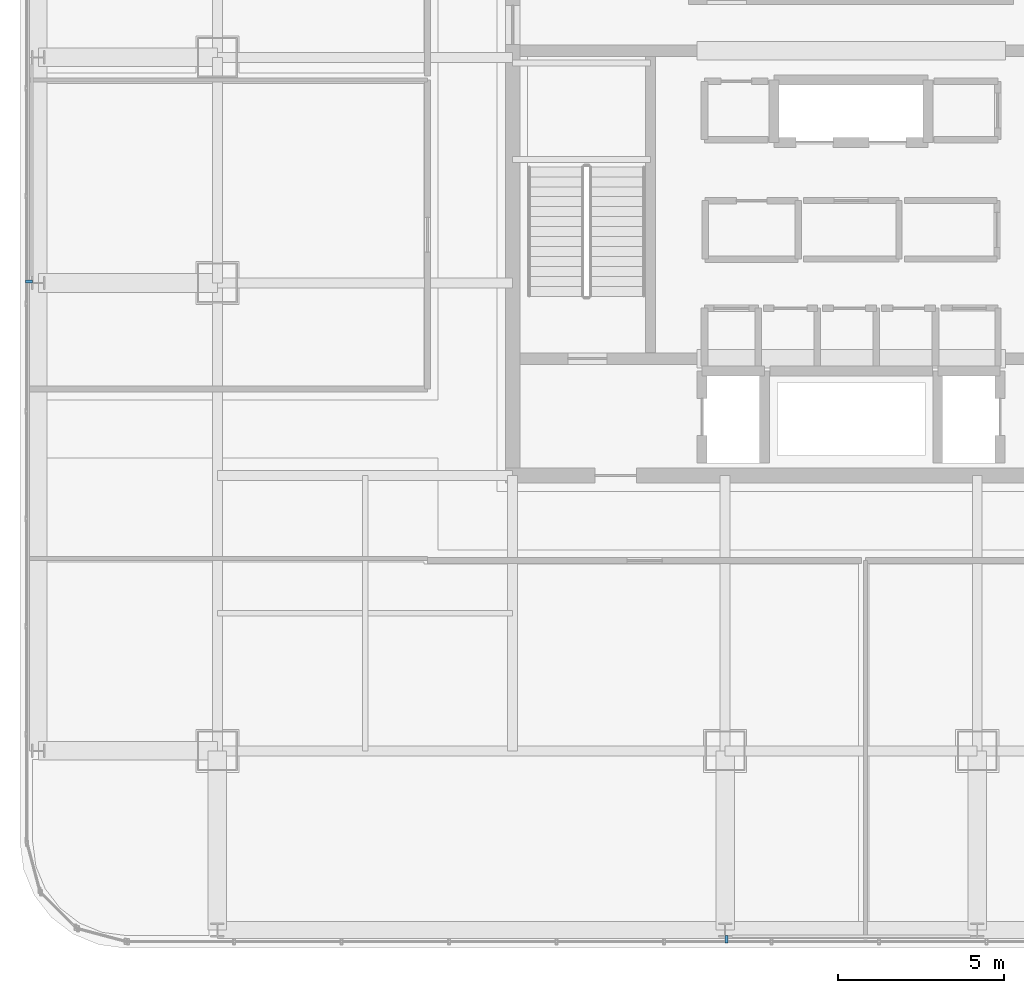
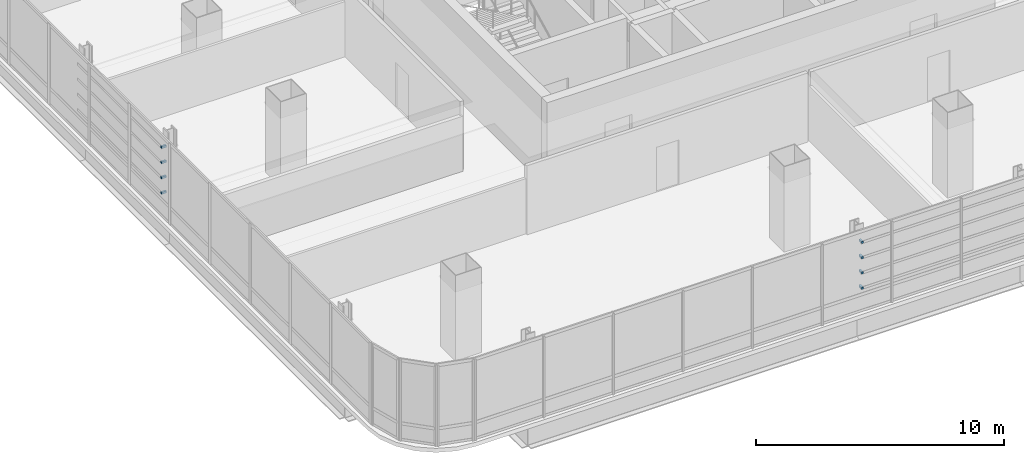
# One storey, part 38 of 43: 8 discrete accessories.
"""IFC4 building model written with IfcOpenShell, lengths in metres."""

from ifc_helpers import new_model, si_unit, direction, frame, origin, origin_2d, place, context, subcontext, project, spatial, rectangle, extrude, material, type_object, element, save


model = new_model("IFC4")

# Units and contexts
model_context = context("Model", 3, precision=1e-05, world=origin(), true_north=direction((0.0, 1.0)))
body_context = subcontext(model_context, "Body", "Model", "MODEL_VIEW")
ifc_project = project(units=[si_unit("LENGTHUNIT", "METRE"), si_unit("AREAUNIT", "SQUARE_METRE"), si_unit("VOLUMEUNIT", "CUBIC_METRE"), si_unit("PLANEANGLEUNIT", "RADIAN"), si_unit("MASSUNIT", "GRAM", prefix="KILO")], contexts=[model_context])

# Site, building, storey
site_placement = place(None, origin())
site = spatial("IfcSite", under=ifc_project, at=site_placement, CompositionType="ELEMENT")
building_placement = place(site_placement, origin())
building = spatial("IfcBuilding", under=site, at=building_placement, Name="Punatoya Terracotta Tower", CompositionType="ELEMENT")
storey_placement = place(building_placement, frame((0.0, 0.0, 321.60009765625)))
storey = spatial("IfcBuildingStorey", under=building, at=storey_placement, Name="L76", CompositionType="ELEMENT", Elevation=321.60009765625)

# Discrete accessories
ifc_material = material(Name="Steel S355", Category="steel")
discrete_accessory_type = type_object("IfcDiscreteAccessoryType", Name="ACC-BRK-220", PredefinedType="BRACKET", material=ifc_material)
for number, where, z_axis, x_axis, name in (
    (1, (-3.75, -23.177978515625, 1.099853515625), (0.0, 0.0, 1.0), (1.0, 0.0, 0.0), "L76 Baguette Louvre Column Bracket BAG-L76-S-01"),
    (2, (-3.75, -23.177978515625, 1.849853515625), (0.0, 0.0, 1.0), (1.0, 0.0, 0.0), "L76 Baguette Louvre Column Bracket BAG-L76-S-02"),
    (3, (-3.75, -23.177978515625, 2.599853515625), (0.0, 0.0, 1.0), (1.0, 0.0, 0.0), "L76 Baguette Louvre Column Bracket BAG-L76-S-03"),
    (4, (-3.75, -23.177978515625, 3.349853515625), (0.0, 0.0, 1.0), (1.0, 0.0, 0.0), "L76 Baguette Louvre Column Bracket BAG-L76-S-04"),
    (5, (-24.778076171875, -3.35009765625, 1.099853515625), (0.0, 0.0, 1.0), (0.0, 1.0, 0.0), "L76 Baguette Louvre Column Bracket BAG-L76-W-01"),
    (6, (-24.778076171875, -3.35009765625, 1.849853515625), (0.0, 0.0, 1.0), (0.0, 1.0, 0.0), "L76 Baguette Louvre Column Bracket BAG-L76-W-02"),
    (7, (-24.778076171875, -3.35009765625, 2.599853515625), (0.0, 0.0, 1.0), (0.0, 1.0, 0.0), "L76 Baguette Louvre Column Bracket BAG-L76-W-03"),
    (8, (-24.778076171875, -3.35009765625, 3.349853515625), (0.0, 0.0, 1.0), (0.0, 1.0, 0.0), "L76 Baguette Louvre Column Bracket BAG-L76-W-04"),
):
    element("IfcDiscreteAccessory", number, at=place(storey_placement, frame(where, z_axis=z_axis, x_axis=x_axis)), inside=storey, type_object=discrete_accessory_type, Name=name, PredefinedType="BRACKET", context=body_context, shape_type="SweptSolid", body=[
        extrude(rectangle(XDim=0.090087890625, YDim=0.219970703125, at=origin_2d()), origin(), (0.0, 0.0, 1.0), 0.10009765625),
    ])

save(model, "model.ifc")
